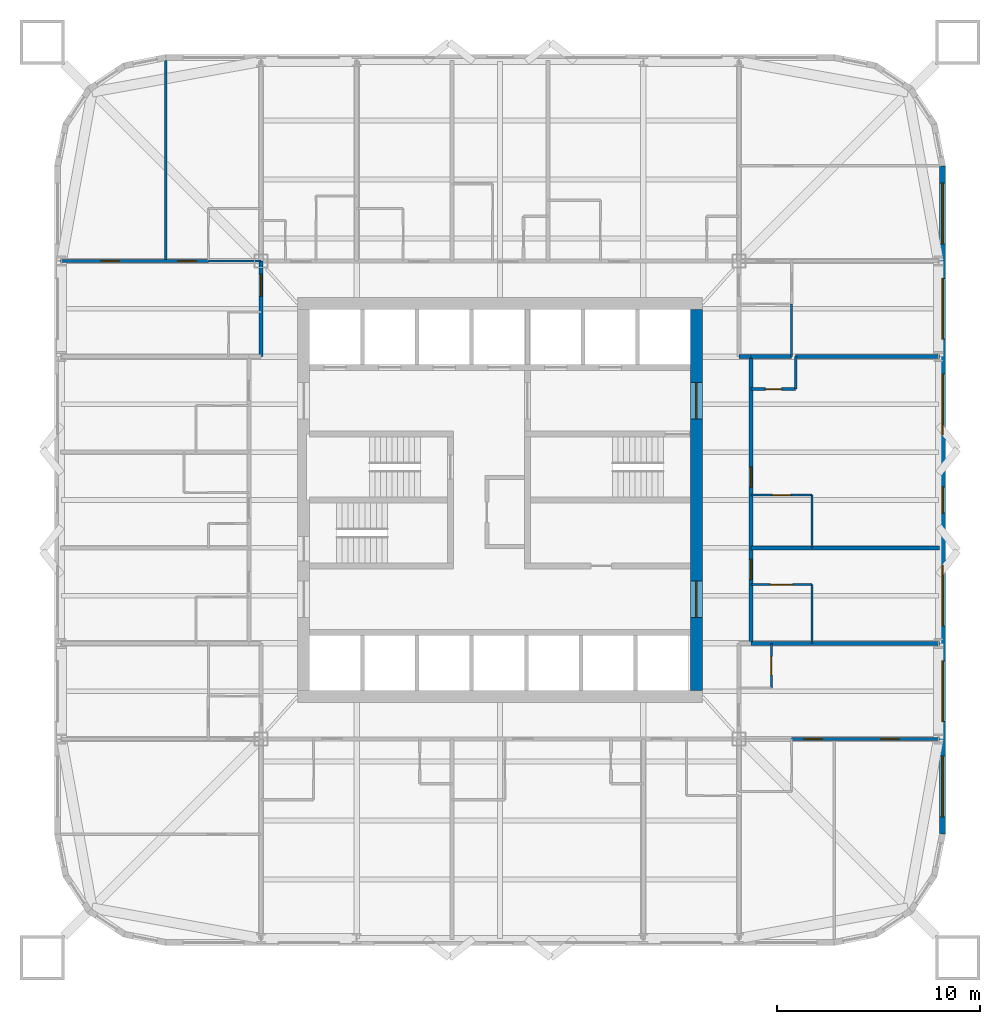
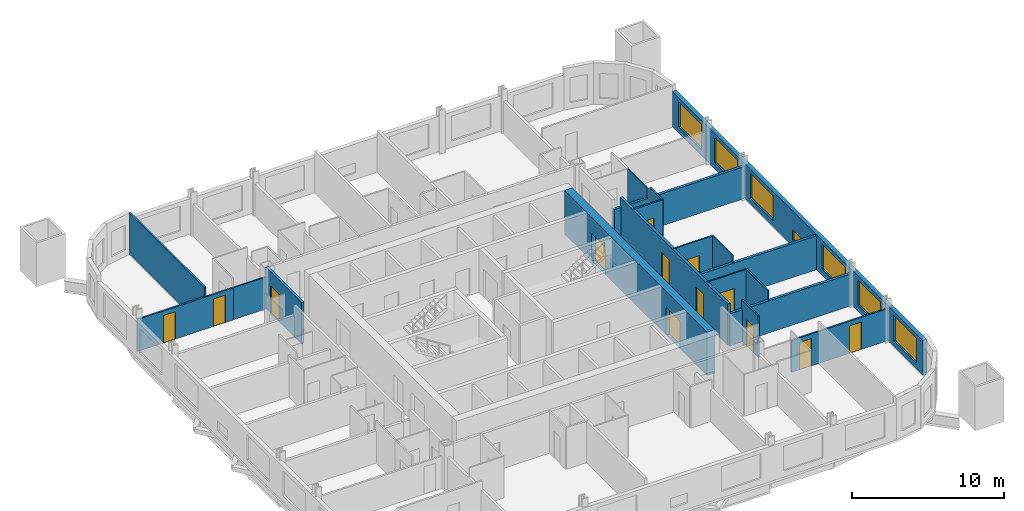
# One storey, part 6 of 10: 21 walls, 13 doors, 7 windows, 20 openings.
"""IFC4 building model written with IfcOpenShell, lengths in metres."""

from ifc_helpers import new_model, si_unit, direction, frame, frame_2d, origin, place, context, subcontext, project, spatial, rectangle, extrude, material, layer, layer_set, type_object, element, fill, save


model = new_model("IFC4")

# Units and contexts
model_context = context("Model", 3, precision=1e-05, world=origin(), true_north=direction((0.0, 1.0)))
body_context = subcontext(model_context, "Body", "Model", "MODEL_VIEW")
ifc_project = project(units=[si_unit("LENGTHUNIT", "METRE"), si_unit("AREAUNIT", "SQUARE_METRE"), si_unit("VOLUMEUNIT", "CUBIC_METRE"), si_unit("PLANEANGLEUNIT", "RADIAN"), si_unit("MASSUNIT", "GRAM", prefix="KILO")], contexts=[model_context])

# Site, building, storey
site_placement = place(None, origin())
site = spatial("IfcSite", under=ifc_project, at=site_placement, CompositionType="ELEMENT")
building_placement = place(site_placement, origin())
building = spatial("IfcBuilding", under=site, at=building_placement, Name="Turquesa Mirador Hotel Tower", CompositionType="ELEMENT")
storey_placement = place(building_placement, frame((0.0, 0.0, 53.0)))
storey = spatial("IfcBuildingStorey", under=building, at=storey_placement, Name="L13", CompositionType="ELEMENT", Elevation=53.0)

# Wall, opening, door
ifc_material_1 = material(Name="Gypsum board on steel studs", Category="steel")
ifc_layer_1 = layer(ifc_material_1, 0.10009765625)
ifc_layer_set_1 = layer_set([ifc_layer_1], Name="BATHROOM WALL 100")
wall_type_1 = type_object("IfcWallType", Name="BATHROOM WALL 100", PredefinedType="PARTITIONING", material=ifc_layer_set_1)
wall_1_placement = place(storey_placement, frame((67.39990234375, 40.820068359375, 0.0), z_axis=(0.0, 0.0, 1.0), x_axis=(1.0, 0.0, 0.0)))
wall_1 = element("IfcWall", 1, at=wall_1_placement, inside=storey, type_object=wall_type_1, Name="Partition L13 015", PredefinedType="PARTITIONING", context=body_context, shape_type="SweptSolid", body=[
    extrude(rectangle(XDim=3.0, YDim=0.10009765625, at=frame_2d((1.5, 0.0))), origin(), (0.0, 0.0, 1.0), 3.330078125),
])
opening_1_placement = place(wall_1_placement, frame((0.949951171875, 0.0, 0.0)))
opening_1 = element("IfcOpeningElement", 2, at=opening_1_placement, cuts=wall_1, Name="Opening D16", PredefinedType="OPENING", context=body_context, shape_type="SweptSolid", body=[
    extrude(rectangle(XDim=1.10009765625, YDim=2.10009765625, at=frame_2d((0.550048828125, 1.050048828125))), frame((0.0, 0.06005859375, 0.0), z_axis=(0.0, -1.0, 0.0), x_axis=(1.0, 0.0, 0.0)), (0.0, 0.0, 1.0), 0.1201171875),
])
ifc_material_2 = material(Name="Timber veneered sliding door", Category="wood")
door_type_1 = type_object("IfcDoorType", Name="DOOR 1100X2100 ACCESSIBLE EN-SUITE", OperationType="SLIDING_TO_LEFT", PredefinedType="DOOR", material=ifc_material_2)
door_1_placement = place(opening_1_placement, origin())
door_1 = element("IfcDoor", 3, at=door_1_placement, inside=storey, type_object=door_type_1, Name="Door 1308B", OperationType="SLIDING_TO_LEFT", OverallHeight=2.10009765625, OverallWidth=1.10009765625, PredefinedType="DOOR", context=body_context, shape_type="SweptSolid", body=[
    extrude(rectangle(XDim=1.10009765625, YDim=2.10009765625, at=frame_2d((0.550048828125, 1.050048828125))), frame((0.0, 0.02490234375, 0.0), z_axis=(0.0, -1.0, 0.0), x_axis=(1.0, 0.0, 0.0)), (0.0, 0.0, 1.0), 0.050048828125),
])
fill(opening_1, door_1)

wall_2_placement = place(storey_placement, frame((67.39990234375, 45.239990234375, 0.0), z_axis=(0.0, 0.0, 1.0), x_axis=(1.0, 0.0, 0.0)))
wall_2 = element("IfcWall", 4, at=wall_2_placement, inside=storey, type_object=wall_type_1, Name="Partition L13 023", PredefinedType="PARTITIONING", context=body_context, shape_type="SweptSolid", body=[
    extrude(rectangle(XDim=3.0, YDim=0.10009765625, at=frame_2d((1.5, 0.0))), origin(), (0.0, 0.0, 1.0), 3.330078125),
])
opening_2_placement = place(wall_2_placement, frame((1.050048828125, 0.0, 0.0)))
opening_2 = element("IfcOpeningElement", 5, at=opening_2_placement, cuts=wall_2, Name="Opening D02", PredefinedType="OPENING", context=body_context, shape_type="SweptSolid", body=[
    extrude(rectangle(XDim=0.89990234375, YDim=2.10009765625, at=frame_2d((0.449951171875, 1.050048828125))), frame((0.0, 0.06005859375, 0.0), z_axis=(0.0, -1.0, 0.0), x_axis=(1.0, 0.0, 0.0)), (0.0, 0.0, 1.0), 0.1201171875),
])
ifc_material_3 = material(Name="Timber veneered door", Category="wood")
door_type_2 = type_object("IfcDoorType", Name="DOOR 900X2100 EN-SUITE", OperationType="SINGLE_SWING_RIGHT", PredefinedType="DOOR", material=ifc_material_3)
door_2_placement = place(opening_2_placement, origin())
door_2 = element("IfcDoor", 6, at=door_2_placement, inside=storey, type_object=door_type_2, Name="Door 1309B", OperationType="SINGLE_SWING_RIGHT", OverallHeight=2.10009765625, OverallWidth=0.89990234375, PredefinedType="DOOR", context=body_context, shape_type="SweptSolid", body=[
    extrude(rectangle(XDim=0.89990234375, YDim=2.10009765625, at=frame_2d((0.449951171875, 1.050048828125))), frame((0.0, 0.02490234375, 0.0), z_axis=(0.0, -1.0, 0.0), x_axis=(1.0, 0.0, 0.0)), (0.0, 0.0, 1.0), 0.050048828125),
])
fill(opening_2, door_2)

# Wall
wall_3_placement = place(storey_placement, frame((40.60009765625, 56.800048828125, 0.0), z_axis=(0.0, 0.0, 1.0), x_axis=(1.0, 0.0, 0.0)))
element("IfcWall", 7, at=wall_3_placement, inside=storey, type_object=wall_type_1, Name="Partition L13 025", PredefinedType="PARTITIONING", context=body_context, shape_type="SweptSolid", body=[
    extrude(rectangle(XDim=2.599853515625, YDim=0.10009765625, at=frame_2d((1.2998046875, 0.0))), origin(), (0.0, 0.0, 1.0), 2.572998046875),
])

# Wall, opening, door
wall_4_placement = place(storey_placement, frame((68.39990234375, 35.719970703125, 0.0), z_axis=(0.0, 0.0, 1.0), x_axis=(0.0, 1.0, 0.0)))
wall_4 = element("IfcWall", 8, at=wall_4_placement, inside=storey, type_object=wall_type_1, Name="Partition L13 080", PredefinedType="PARTITIONING", context=body_context, shape_type="SweptSolid", body=[
    extrude(rectangle(XDim=2.199951171875, YDim=0.10009765625, at=frame_2d((1.10009765625, 0.0))), origin(), (0.0, 0.0, 1.0), 3.330078125),
])
opening_3_placement = place(wall_4_placement, frame((0.64990234375, 0.0, 0.0)))
opening_3 = element("IfcOpeningElement", 9, at=opening_3_placement, cuts=wall_4, Name="Opening D06", PredefinedType="OPENING", context=body_context, shape_type="SweptSolid", body=[
    extrude(rectangle(XDim=0.89990234375, YDim=2.10009765625, at=frame_2d((0.449951171875, 1.050048828125))), frame((0.0, 0.06005859375, 0.0), z_axis=(0.0, -1.0, 0.0), x_axis=(1.0, 0.0, 0.0)), (0.0, 0.0, 1.0), 0.1201171875),
])
ifc_material_4 = material(Name="Laminate door", Category="wood")
door_type_3 = type_object("IfcDoorType", Name="DOOR 900X2100 WC", OperationType="SINGLE_SWING_LEFT", PredefinedType="DOOR", material=ifc_material_4)
door_3_placement = place(opening_3_placement, origin())
door_3 = element("IfcDoor", 10, at=door_3_placement, inside=storey, type_object=door_type_3, Name="Door 1316W", OperationType="SINGLE_SWING_LEFT", OverallHeight=2.10009765625, OverallWidth=0.89990234375, PredefinedType="DOOR", context=body_context, shape_type="SweptSolid", body=[
    extrude(rectangle(XDim=0.89990234375, YDim=2.10009765625, at=frame_2d((0.449951171875, 1.050048828125))), frame((0.0, 0.02490234375, 0.0), z_axis=(0.0, -1.0, 0.0), x_axis=(1.0, 0.0, 0.0)), (0.0, 0.0, 1.0), 0.050048828125),
])
fill(opening_3, door_3)

# Walls
wall_5_placement = place(storey_placement, frame((69.39990234375, 52.080078125, 0.0), z_axis=(0.0, 0.0, 1.0), x_axis=(0.0, 1.0, 0.0)))
element("IfcWall", 11, at=wall_5_placement, inside=storey, type_object=wall_type_1, Name="Partition L13 082", PredefinedType="PARTITIONING", context=body_context, shape_type="SweptSolid", body=[
    extrude(rectangle(XDim=2.599853515625, YDim=0.10009765625, at=frame_2d((1.2998046875, 0.0))), origin(), (0.0, 0.0, 1.0), 3.330078125),
])
wall_6_placement = place(storey_placement, frame((70.39990234375, 37.919921875, 0.0), z_axis=(0.0, 0.0, 1.0), x_axis=(0.0, 1.0, 0.0)))
element("IfcWall", 12, at=wall_6_placement, inside=storey, type_object=wall_type_1, Name="Partition L13 085", PredefinedType="PARTITIONING", context=body_context, shape_type="SweptSolid", body=[
    extrude(rectangle(XDim=2.900146484375, YDim=0.10009765625, at=frame_2d((1.4501953125, 0.0))), origin(), (0.0, 0.0, 1.0), 3.330078125),
])
wall_7_placement = place(storey_placement, frame((70.39990234375, 42.639892578125, 0.0), z_axis=(0.0, 0.0, 1.0), x_axis=(0.0, 1.0, 0.0)))
element("IfcWall", 13, at=wall_7_placement, inside=storey, type_object=wall_type_1, Name="Partition L13 086", PredefinedType="PARTITIONING", context=body_context, shape_type="SweptSolid", body=[
    extrude(rectangle(XDim=2.60009765625, YDim=0.10009765625, at=frame_2d((1.300048828125, 0.0))), origin(), (0.0, 0.0, 1.0), 3.330078125),
])

# Wall, openings, doors
ifc_material_5 = material(Name="Concrete C50/60", Category="concrete")
ifc_layer_2 = layer(ifc_material_5, 0.60009765625)
ifc_layer_set_2 = layer_set([ifc_layer_2], Name="CORE WALL 600")
wall_type_2 = type_object("IfcWallType", Name="CORE WALL 600", PredefinedType="SHEAR", material=ifc_layer_set_2)
wall_8_placement = place(storey_placement, frame((64.699951171875, 35.60009765625, 0.0), z_axis=(0.0, 0.0, 1.0), x_axis=(0.0, 1.0, 0.0)))
wall_8 = element("IfcWall", 14, at=wall_8_placement, inside=storey, type_object=wall_type_2, Name="Core wall E", PredefinedType="SHEAR", context=body_context, shape_type="SweptSolid", body=[
    extrude(rectangle(XDim=18.7998046875, YDim=0.60009765625, at=frame_2d((9.39990234375, 0.0))), origin(), (0.0, 0.0, 1.0), 3.5),
])
opening_4_placement = place(wall_8_placement, frame((13.39990234375, 0.0, 0.0)))
opening_4 = element("IfcOpeningElement", 15, at=opening_4_placement, cuts=wall_8, Name="Opening D04", PredefinedType="OPENING", context=body_context, shape_type="SweptSolid", body=[
    extrude(rectangle(XDim=1.800048828125, YDim=2.199951171875, at=frame_2d((0.89990234375, 1.10009765625))), frame((0.0, 0.31005859375, 0.0), z_axis=(0.0, -1.0, 0.0), x_axis=(1.0, 0.0, 0.0)), (0.0, 0.0, 1.0), 0.6201171875),
])
opening_5_placement = place(wall_8_placement, frame((3.60009765625, 0.0, 0.0)))
opening_5 = element("IfcOpeningElement", 16, at=opening_5_placement, cuts=wall_8, Name="Opening D04", PredefinedType="OPENING", context=body_context, shape_type="SweptSolid", body=[
    extrude(rectangle(XDim=1.800048828125, YDim=2.199951171875, at=frame_2d((0.89990234375, 1.10009765625))), frame((0.0, 0.31005859375, 0.0), z_axis=(0.0, -1.0, 0.0), x_axis=(1.0, 0.0, 0.0)), (0.0, 0.0, 1.0), 0.6201171875),
])
ifc_material_6 = material(Name="Steel fire door pair", Category="steel")
door_type_4 = type_object("IfcDoorType", Name="DOOR 1800X2200 PAIR", OperationType="DOUBLE_DOOR_SINGLE_SWING", PredefinedType="DOOR", material=ifc_material_6)
door_4_placement = place(opening_4_placement, origin())
door_4 = element("IfcDoor", 17, at=door_4_placement, inside=storey, type_object=door_type_4, Name="Firefighting lobby door", OperationType="DOUBLE_DOOR_SINGLE_SWING", OverallHeight=2.199951171875, OverallWidth=1.800048828125, PredefinedType="DOOR", context=body_context, shape_type="SweptSolid", body=[
    extrude(rectangle(XDim=1.800048828125, YDim=2.199951171875, at=frame_2d((0.89990234375, 1.10009765625))), frame((0.0, 0.02490234375, 0.0), z_axis=(0.0, -1.0, 0.0), x_axis=(1.0, 0.0, 0.0)), (0.0, 0.0, 1.0), 0.050048828125),
])
fill(opening_4, door_4)
door_5_placement = place(opening_5_placement, origin())
door_5 = element("IfcDoor", 18, at=door_5_placement, inside=storey, type_object=door_type_4, Name="South lift lobby door", OperationType="DOUBLE_DOOR_SINGLE_SWING", OverallHeight=2.199951171875, OverallWidth=1.800048828125, PredefinedType="DOOR", context=body_context, shape_type="SweptSolid", body=[
    extrude(rectangle(XDim=1.800048828125, YDim=2.199951171875, at=frame_2d((0.89990234375, 1.10009765625))), frame((0.0, 0.02490234375, 0.0), z_axis=(0.0, -1.0, 0.0), x_axis=(1.0, 0.0, 0.0)), (0.0, 0.0, 1.0), 0.050048828125),
])
fill(opening_5, door_5)

# Wall
ifc_material_7 = material(Name="Fire-rated gypsum board on steel studs", Category="steel")
ifc_layer_3 = layer(ifc_material_7, 0.199951171875)
ifc_layer_set_3 = layer_set([ifc_layer_3], Name="CORRIDOR WALL 200")
wall_type_3 = type_object("IfcWallType", Name="CORRIDOR WALL 200", PredefinedType="PARTITIONING", material=ifc_layer_set_3)
wall_9_placement = place(storey_placement, frame((66.800048828125, 52.080078125, 0.0), z_axis=(0.0, 0.0, 1.0), x_axis=(1.0, 0.0, 0.0)))
element("IfcWall", 19, at=wall_9_placement, inside=storey, type_object=wall_type_3, Name="Partition L13 042", PredefinedType="PARTITIONING", context=body_context, shape_type="SweptSolid", body=[
    extrude(rectangle(XDim=0.599853515625, YDim=0.199951171875, at=frame_2d((0.2998046875, 0.0))), origin(), (0.0, 0.0, 1.0), 2.572998046875),
])

# Wall, opening, door
wall_10_placement = place(storey_placement, frame((43.199951171875, 52.080078125, 0.0), z_axis=(0.0, 0.0, 1.0), x_axis=(0.0, 1.0, 0.0)))
wall_10 = element("IfcWall", 20, at=wall_10_placement, inside=storey, type_object=wall_type_3, Name="Partition L13 051", PredefinedType="PARTITIONING", context=body_context, shape_type="SweptSolid", body=[
    extrude(rectangle(XDim=4.719970703125, YDim=0.199951171875, at=frame_2d((2.35986328125, 0.0))), origin(), (0.0, 0.0, 1.0), 3.330078125),
])
opening_6_placement = place(wall_10_placement, frame((2.969970703125, 0.0, 0.0)))
opening_6 = element("IfcOpeningElement", 21, at=opening_6_placement, cuts=wall_10, Name="Opening D15", PredefinedType="OPENING", context=body_context, shape_type="SweptSolid", body=[
    extrude(rectangle(XDim=1.10009765625, YDim=2.199951171875, at=frame_2d((0.550048828125, 1.10009765625))), frame((0.0, 0.10986328125, 0.0), z_axis=(0.0, -1.0, 0.0), x_axis=(1.0, 0.0, 0.0)), (0.0, 0.0, 1.0), 0.219970703125),
])
ifc_material_8 = material(Name="Timber veneered fire door", Category="wood")
door_type_5 = type_object("IfcDoorType", Name="DOOR 1100X2200 SUITE ENTRY", OperationType="SINGLE_SWING_LEFT", PredefinedType="DOOR", material=ifc_material_8)
door_6_placement = place(opening_6_placement, origin())
door_6 = element("IfcDoor", 22, at=door_6_placement, inside=storey, type_object=door_type_5, Name="Door 1314", OperationType="SINGLE_SWING_LEFT", OverallHeight=2.199951171875, OverallWidth=1.10009765625, PredefinedType="DOOR", context=body_context, shape_type="SweptSolid", body=[
    extrude(rectangle(XDim=1.10009765625, YDim=2.199951171875, at=frame_2d((0.550048828125, 1.10009765625))), frame((0.0, 0.02490234375, 0.0), z_axis=(0.0, -1.0, 0.0), x_axis=(1.0, 0.0, 0.0)), (0.0, 0.0, 1.0), 0.050048828125),
])
fill(opening_6, door_6)

# Wall, openings, doors
wall_11_placement = place(storey_placement, frame((67.39990234375, 37.919921875, 0.0), z_axis=(0.0, 0.0, 1.0), x_axis=(0.0, 1.0, 0.0)))
wall_11 = element("IfcWall", 23, at=wall_11_placement, inside=storey, type_object=wall_type_3, Name="Partition L13 079", PredefinedType="PARTITIONING", context=body_context, shape_type="SweptSolid", body=[
    extrude(rectangle(XDim=14.16015625, YDim=0.199951171875, at=frame_2d((7.080078125, 0.0))), origin(), (0.0, 0.0, 1.0), 3.330078125),
])
opening_7_placement = place(wall_11_placement, frame((3.14990234375, 0.0, 0.0)))
opening_7 = element("IfcOpeningElement", 24, at=opening_7_placement, cuts=wall_11, Name="Opening D01", PredefinedType="OPENING", context=body_context, shape_type="SweptSolid", body=[
    extrude(rectangle(XDim=1.0, YDim=2.199951171875, at=frame_2d((0.5, 1.10009765625))), frame((0.0, 0.10986328125, 0.0), z_axis=(0.0, -1.0, 0.0), x_axis=(1.0, 0.0, 0.0)), (0.0, 0.0, 1.0), 0.219970703125),
])
opening_8_placement = place(wall_11_placement, frame((7.719970703125, 0.0, 0.0)))
opening_8 = element("IfcOpeningElement", 25, at=opening_8_placement, cuts=wall_11, Name="Opening D01", PredefinedType="OPENING", context=body_context, shape_type="SweptSolid", body=[
    extrude(rectangle(XDim=1.0, YDim=2.199951171875, at=frame_2d((0.5, 1.10009765625))), frame((0.0, 0.10986328125, 0.0), z_axis=(0.0, -1.0, 0.0), x_axis=(1.0, 0.0, 0.0)), (0.0, 0.0, 1.0), 0.219970703125),
])
ifc_material_9 = material(Name="Timber veneered fire door", Category="wood")
door_type_6 = type_object("IfcDoorType", Name="DOOR 1000X2200 GUEST ENTRY", OperationType="SINGLE_SWING_LEFT", PredefinedType="DOOR", material=ifc_material_9)
door_7_placement = place(opening_7_placement, origin())
door_7 = element("IfcDoor", 26, at=door_7_placement, inside=storey, type_object=door_type_6, Name="Door 1308", OperationType="SINGLE_SWING_LEFT", OverallHeight=2.199951171875, OverallWidth=1.0, PredefinedType="DOOR", context=body_context, shape_type="SweptSolid", body=[
    extrude(rectangle(XDim=1.0, YDim=2.199951171875, at=frame_2d((0.5, 1.10009765625))), frame((0.0, 0.02490234375, 0.0), z_axis=(0.0, -1.0, 0.0), x_axis=(1.0, 0.0, 0.0)), (0.0, 0.0, 1.0), 0.050048828125),
])
fill(opening_7, door_7)
door_8_placement = place(opening_8_placement, origin())
door_8 = element("IfcDoor", 27, at=door_8_placement, inside=storey, type_object=door_type_6, Name="Door 1309", OperationType="SINGLE_SWING_LEFT", OverallHeight=2.199951171875, OverallWidth=1.0, PredefinedType="DOOR", context=body_context, shape_type="SweptSolid", body=[
    extrude(rectangle(XDim=1.0, YDim=2.199951171875, at=frame_2d((0.5, 1.10009765625))), frame((0.0, 0.02490234375, 0.0), z_axis=(0.0, -1.0, 0.0), x_axis=(1.0, 0.0, 0.0)), (0.0, 0.0, 1.0), 0.050048828125),
])
fill(opening_8, door_8)

# Wall, openings, windows
ifc_material_10 = material(Name="Limestone cladding on concrete block", Category="masonry")
ifc_layer_4 = layer(ifc_material_10, 0.300048828125)
ifc_layer_set_4 = layer_set([ifc_layer_4], Name="FACADE WALL 300 STONE SCREEN")
wall_type_4 = type_object("IfcWallType", Name="FACADE WALL 300 STONE SCREEN", PredefinedType="SOLIDWALL", material=ifc_layer_set_4)
wall_12_placement = place(storey_placement, frame((76.85009765625, 28.5, 0.0), z_axis=(0.0, 0.0, 1.0), x_axis=(0.0, 1.0, 0.0)))
wall_12 = element("IfcWall", 28, at=wall_12_placement, inside=storey, type_object=wall_type_4, Name="Facade wall L13 04", PredefinedType="SOLIDWALL", context=body_context, shape_type="SweptSolid", body=[
    extrude(rectangle(XDim=33.0, YDim=0.300048828125, at=frame_2d((16.5, 0.0))), origin(), (0.0, 0.0, 1.0), 2.830078125),
])
opening_9_placement = place(wall_12_placement, frame((0.85009765625, 0.0, 0.5)))
opening_9 = element("IfcOpeningElement", 29, at=opening_9_placement, cuts=wall_12, Name="Opening WN1", PredefinedType="OPENING", context=body_context, shape_type="SweptSolid", body=[
    extrude(rectangle(XDim=3.0, YDim=2.0, at=frame_2d((1.5, 1.0))), frame((0.0, 0.159912109375, 0.0), z_axis=(0.0, -1.0, 0.0), x_axis=(1.0, 0.0, 0.0)), (0.0, 0.0, 1.0), 0.320068359375),
])
opening_10_placement = place(wall_12_placement, frame((5.56005859375, 0.0, 0.5)))
opening_10 = element("IfcOpeningElement", 30, at=opening_10_placement, cuts=wall_12, Name="Opening WN1", PredefinedType="OPENING", context=body_context, shape_type="SweptSolid", body=[
    extrude(rectangle(XDim=3.0, YDim=2.0, at=frame_2d((1.5, 1.0))), frame((0.0, 0.159912109375, 0.0), z_axis=(0.0, -1.0, 0.0), x_axis=(1.0, 0.0, 0.0)), (0.0, 0.0, 1.0), 0.320068359375),
])
opening_11_placement = place(wall_12_placement, frame((10.280029296875, 0.0, 0.5)))
opening_11 = element("IfcOpeningElement", 31, at=opening_11_placement, cuts=wall_12, Name="Opening WN1", PredefinedType="OPENING", context=body_context, shape_type="SweptSolid", body=[
    extrude(rectangle(XDim=3.0, YDim=2.0, at=frame_2d((1.5, 1.0))), frame((0.0, 0.159912109375, 0.0), z_axis=(0.0, -1.0, 0.0), x_axis=(1.0, 0.0, 0.0)), (0.0, 0.0, 1.0), 0.320068359375),
])
opening_12_placement = place(wall_12_placement, frame((15.85009765625, 0.0, 0.5)))
opening_12 = element("IfcOpeningElement", 32, at=opening_12_placement, cuts=wall_12, Name="Opening WN41", PredefinedType="OPENING", context=body_context, shape_type="SweptSolid", body=[
    extrude(rectangle(XDim=1.300048828125, YDim=0.800048828125, at=frame_2d((0.64990234375, 0.39990234375))), frame((0.0, 0.159912109375, 0.0), z_axis=(0.0, -1.0, 0.0), x_axis=(1.0, 0.0, 0.0)), (0.0, 0.0, 1.0), 0.320068359375),
])
opening_13_placement = place(wall_12_placement, frame((19.719970703125, 0.0, 0.5)))
opening_13 = element("IfcOpeningElement", 33, at=opening_13_placement, cuts=wall_12, Name="Opening WN1", PredefinedType="OPENING", context=body_context, shape_type="SweptSolid", body=[
    extrude(rectangle(XDim=3.0, YDim=2.0, at=frame_2d((1.5, 1.0))), frame((0.0, 0.159912109375, 0.0), z_axis=(0.0, -1.0, 0.0), x_axis=(1.0, 0.0, 0.0)), (0.0, 0.0, 1.0), 0.320068359375),
])
opening_14_placement = place(wall_12_placement, frame((24.43994140625, 0.0, 0.5)))
opening_14 = element("IfcOpeningElement", 34, at=opening_14_placement, cuts=wall_12, Name="Opening WN1", PredefinedType="OPENING", context=body_context, shape_type="SweptSolid", body=[
    extrude(rectangle(XDim=3.0, YDim=2.0, at=frame_2d((1.5, 1.0))), frame((0.0, 0.159912109375, 0.0), z_axis=(0.0, -1.0, 0.0), x_axis=(1.0, 0.0, 0.0)), (0.0, 0.0, 1.0), 0.320068359375),
])
opening_15_placement = place(wall_12_placement, frame((29.14990234375, 0.0, 0.5)))
opening_15 = element("IfcOpeningElement", 35, at=opening_15_placement, cuts=wall_12, Name="Opening WN1", PredefinedType="OPENING", context=body_context, shape_type="SweptSolid", body=[
    extrude(rectangle(XDim=3.0, YDim=2.0, at=frame_2d((1.5, 1.0))), frame((0.0, 0.159912109375, 0.0), z_axis=(0.0, -1.0, 0.0), x_axis=(1.0, 0.0, 0.0)), (0.0, 0.0, 1.0), 0.320068359375),
])
ifc_material_11 = material(Name="Ceramic-fritted laminated glass", Category="glass")
window_type_1 = type_object("IfcWindowType", Name="FRITTED WINDOW 1300X800", PartitioningType="DOUBLE_PANEL_HORIZONTAL", PredefinedType="WINDOW", material=ifc_material_11)
window_1_placement = place(opening_12_placement, origin())
window_1 = element("IfcWindow", 36, at=window_1_placement, inside=storey, type_object=window_type_1, Name="Window L13", OverallHeight=0.800048828125, OverallWidth=1.300048828125, PartitioningType="SINGLE_PANEL", PredefinedType="WINDOW", context=body_context, shape_type="SweptSolid", body=[
    extrude(rectangle(XDim=1.300048828125, YDim=0.800048828125, at=frame_2d((0.64990234375, 0.39990234375))), frame((0.0, 0.030029296875, 0.0), z_axis=(0.0, -1.0, 0.0), x_axis=(1.0, 0.0, 0.0)), (0.0, 0.0, 1.0), 0.06005859375),
])
fill(opening_12, window_1)
ifc_material_12 = material(Name="Ceramic-fritted laminated glass", Category="glass")
window_type_2 = type_object("IfcWindowType", Name="FRITTED WINDOW 3000X2000", PartitioningType="DOUBLE_PANEL_HORIZONTAL", PredefinedType="WINDOW", material=ifc_material_12)
window_2_placement = place(opening_9_placement, origin())
window_2 = element("IfcWindow", 37, at=window_2_placement, inside=storey, type_object=window_type_2, Name="Window L13", OverallHeight=2.0, OverallWidth=3.0, PartitioningType="SINGLE_PANEL", PredefinedType="WINDOW", context=body_context, shape_type="SweptSolid", body=[
    extrude(rectangle(XDim=3.0, YDim=2.0, at=frame_2d((1.5, 1.0))), frame((0.0, 0.030029296875, 0.0), z_axis=(0.0, -1.0, 0.0), x_axis=(1.0, 0.0, 0.0)), (0.0, 0.0, 1.0), 0.06005859375),
])
fill(opening_9, window_2)
window_3_placement = place(opening_10_placement, origin())
window_3 = element("IfcWindow", 38, at=window_3_placement, inside=storey, type_object=window_type_2, Name="Window L13", OverallHeight=2.0, OverallWidth=3.0, PartitioningType="SINGLE_PANEL", PredefinedType="WINDOW", context=body_context, shape_type="SweptSolid", body=[
    extrude(rectangle(XDim=3.0, YDim=2.0, at=frame_2d((1.5, 1.0))), frame((0.0, 0.030029296875, 0.0), z_axis=(0.0, -1.0, 0.0), x_axis=(1.0, 0.0, 0.0)), (0.0, 0.0, 1.0), 0.06005859375),
])
fill(opening_10, window_3)
window_4_placement = place(opening_11_placement, origin())
window_4 = element("IfcWindow", 39, at=window_4_placement, inside=storey, type_object=window_type_2, Name="Window L13", OverallHeight=2.0, OverallWidth=3.0, PartitioningType="SINGLE_PANEL", PredefinedType="WINDOW", context=body_context, shape_type="SweptSolid", body=[
    extrude(rectangle(XDim=3.0, YDim=2.0, at=frame_2d((1.5, 1.0))), frame((0.0, 0.030029296875, 0.0), z_axis=(0.0, -1.0, 0.0), x_axis=(1.0, 0.0, 0.0)), (0.0, 0.0, 1.0), 0.06005859375),
])
fill(opening_11, window_4)
window_5_placement = place(opening_13_placement, origin())
window_5 = element("IfcWindow", 40, at=window_5_placement, inside=storey, type_object=window_type_2, Name="Window L13", OverallHeight=2.0, OverallWidth=3.0, PartitioningType="SINGLE_PANEL", PredefinedType="WINDOW", context=body_context, shape_type="SweptSolid", body=[
    extrude(rectangle(XDim=3.0, YDim=2.0, at=frame_2d((1.5, 1.0))), frame((0.0, 0.030029296875, 0.0), z_axis=(0.0, -1.0, 0.0), x_axis=(1.0, 0.0, 0.0)), (0.0, 0.0, 1.0), 0.06005859375),
])
fill(opening_13, window_5)
window_6_placement = place(opening_14_placement, origin())
window_6 = element("IfcWindow", 41, at=window_6_placement, inside=storey, type_object=window_type_2, Name="Window L13", OverallHeight=2.0, OverallWidth=3.0, PartitioningType="SINGLE_PANEL", PredefinedType="WINDOW", context=body_context, shape_type="SweptSolid", body=[
    extrude(rectangle(XDim=3.0, YDim=2.0, at=frame_2d((1.5, 1.0))), frame((0.0, 0.030029296875, 0.0), z_axis=(0.0, -1.0, 0.0), x_axis=(1.0, 0.0, 0.0)), (0.0, 0.0, 1.0), 0.06005859375),
])
fill(opening_14, window_6)
window_7_placement = place(opening_15_placement, origin())
window_7 = element("IfcWindow", 42, at=window_7_placement, inside=storey, type_object=window_type_2, Name="Window L13", OverallHeight=2.0, OverallWidth=3.0, PartitioningType="SINGLE_PANEL", PredefinedType="WINDOW", context=body_context, shape_type="SweptSolid", body=[
    extrude(rectangle(XDim=3.0, YDim=2.0, at=frame_2d((1.5, 1.0))), frame((0.0, 0.030029296875, 0.0), z_axis=(0.0, -1.0, 0.0), x_axis=(1.0, 0.0, 0.0)), (0.0, 0.0, 1.0), 0.06005859375),
])
fill(opening_15, window_7)

# Walls
ifc_material_13 = material(Name="Fire-rated gypsum board on steel studs", Category="steel")
ifc_layer_5 = layer(ifc_material_13, 0.199951171875)
ifc_layer_set_5 = layer_set([ifc_layer_5], Name="PARTY WALL 200")
wall_type_5 = type_object("IfcWallType", Name="PARTY WALL 200", PredefinedType="PARTITIONING", material=ifc_layer_set_5)
wall_13_placement = place(storey_placement, frame((67.39990234375, 42.639892578125, 0.0), z_axis=(0.0, 0.0, 1.0), x_axis=(1.0, 0.0, 0.0)))
element("IfcWall", 43, at=wall_13_placement, inside=storey, type_object=wall_type_5, Name="Partition L13 014", PredefinedType="PARTITIONING", context=body_context, shape_type="SweptSolid", body=[
    extrude(rectangle(XDim=9.300048828125, YDim=0.199951171875, at=frame_2d((4.64990234375, 0.0))), origin(), (0.0, 0.0, 1.0), 2.722900390625),
])
wall_14_placement = place(storey_placement, frame((67.39990234375, 37.919921875, 0.0), z_axis=(0.0, 0.0, 1.0), x_axis=(1.0, 0.0, 0.0)))
element("IfcWall", 44, at=wall_14_placement, inside=storey, type_object=wall_type_5, Name="Partition L13 020", PredefinedType="PARTITIONING", context=body_context, shape_type="SweptSolid", body=[
    extrude(rectangle(XDim=9.300048828125, YDim=0.199951171875, at=frame_2d((4.64990234375, 0.0))), origin(), (0.0, 0.0, 1.0), 2.572998046875),
])
wall_15_placement = place(storey_placement, frame((67.39990234375, 52.080078125, 0.0), z_axis=(0.0, 0.0, 1.0), x_axis=(1.0, 0.0, 0.0)))
element("IfcWall", 45, at=wall_15_placement, inside=storey, type_object=wall_type_5, Name="Partition L13 044", PredefinedType="PARTITIONING", context=body_context, shape_type="SweptSolid", body=[
    extrude(rectangle(XDim=2.0, YDim=0.199951171875, at=frame_2d((1.0, 0.0))), origin(), (0.0, 0.0, 1.0), 2.572998046875),
])
wall_16_placement = place(storey_placement, frame((69.60009765625, 52.080078125, 0.0), z_axis=(0.0, 0.0, 1.0), x_axis=(1.0, 0.0, 0.0)))
element("IfcWall", 46, at=wall_16_placement, inside=storey, type_object=wall_type_5, Name="Partition L13 045", PredefinedType="PARTITIONING", context=body_context, shape_type="SweptSolid", body=[
    extrude(rectangle(XDim=7.099853515625, YDim=0.199951171875, at=frame_2d((3.5498046875, 0.0))), origin(), (0.0, 0.0, 1.0), 2.572998046875),
])

# Wall, openings, doors
ifc_material_14 = material(Name="Acoustic gypsum board on steel studs", Category="steel")
ifc_layer_6 = layer(ifc_material_14, 0.125)
ifc_layer_set_6 = layer_set([ifc_layer_6], Name="SUITE PARTITION 125")
wall_type_6 = type_object("IfcWallType", Name="SUITE PARTITION 125", PredefinedType="PARTITIONING", material=ifc_layer_set_6)
wall_17_placement = place(storey_placement, frame((69.39990234375, 33.199951171875, 0.0), z_axis=(0.0, 0.0, 1.0), x_axis=(1.0, 0.0, 0.0)))
wall_17 = element("IfcWall", 47, at=wall_17_placement, inside=storey, type_object=wall_type_6, Name="Partition L13 005", PredefinedType="PARTITIONING", context=body_context, shape_type="SweptSolid", body=[
    extrude(rectangle(XDim=7.300048828125, YDim=0.125, at=frame_2d((3.64990234375, 0.0))), origin(), (0.0, 0.0, 1.0), 2.572998046875),
])
opening_16_placement = place(wall_17_placement, frame((0.60009765625, 0.0, 0.0)))
opening_16 = element("IfcOpeningElement", 48, at=opening_16_placement, cuts=wall_17, Name="Opening D17", PredefinedType="OPENING", context=body_context, shape_type="SweptSolid", body=[
    extrude(rectangle(XDim=0.89990234375, YDim=2.199951171875, at=frame_2d((0.449951171875, 1.10009765625))), frame((0.0, 0.072509765625, 0.0), z_axis=(0.0, -1.0, 0.0), x_axis=(1.0, 0.0, 0.0)), (0.0, 0.0, 1.0), 0.14501953125),
])
opening_17_placement = place(wall_17_placement, frame((4.39990234375, 0.0, 0.0)))
opening_17 = element("IfcOpeningElement", 49, at=opening_17_placement, cuts=wall_17, Name="Opening D17", PredefinedType="OPENING", context=body_context, shape_type="SweptSolid", body=[
    extrude(rectangle(XDim=0.89990234375, YDim=2.199951171875, at=frame_2d((0.449951171875, 1.10009765625))), frame((0.0, 0.072509765625, 0.0), z_axis=(0.0, -1.0, 0.0), x_axis=(1.0, 0.0, 0.0)), (0.0, 0.0, 1.0), 0.14501953125),
])
ifc_material_15 = material(Name="Timber veneered door", Category="wood")
door_type_7 = type_object("IfcDoorType", Name="DOOR 900X2200 SUITE INTERNAL", OperationType="SINGLE_SWING_LEFT", PredefinedType="DOOR", material=ifc_material_15)
door_9_placement = place(opening_16_placement, origin())
door_9 = element("IfcDoor", 50, at=door_9_placement, inside=storey, type_object=door_type_7, Name="Door 1316R", OperationType="SINGLE_SWING_LEFT", OverallHeight=2.199951171875, OverallWidth=0.89990234375, PredefinedType="DOOR", context=body_context, shape_type="SweptSolid", body=[
    extrude(rectangle(XDim=0.89990234375, YDim=2.199951171875, at=frame_2d((0.449951171875, 1.10009765625))), frame((0.0, 0.02490234375, 0.0), z_axis=(0.0, -1.0, 0.0), x_axis=(1.0, 0.0, 0.0)), (0.0, 0.0, 1.0), 0.050048828125),
])
fill(opening_16, door_9)
door_10_placement = place(opening_17_placement, origin())
door_10 = element("IfcDoor", 51, at=door_10_placement, inside=storey, type_object=door_type_7, Name="Door 1316S", OperationType="SINGLE_SWING_LEFT", OverallHeight=2.199951171875, OverallWidth=0.89990234375, PredefinedType="DOOR", context=body_context, shape_type="SweptSolid", body=[
    extrude(rectangle(XDim=0.89990234375, YDim=2.199951171875, at=frame_2d((0.449951171875, 1.10009765625))), frame((0.0, 0.02490234375, 0.0), z_axis=(0.0, -1.0, 0.0), x_axis=(1.0, 0.0, 0.0)), (0.0, 0.0, 1.0), 0.050048828125),
])
fill(opening_17, door_10)

wall_18_placement = place(storey_placement, frame((33.300048828125, 56.800048828125, 0.0), z_axis=(0.0, 0.0, 1.0), x_axis=(1.0, 0.0, 0.0)))
wall_18 = element("IfcWall", 52, at=wall_18_placement, inside=storey, type_object=wall_type_6, Name="Partition L13 027", PredefinedType="PARTITIONING", context=body_context, shape_type="SweptSolid", body=[
    extrude(rectangle(XDim=7.300048828125, YDim=0.125, at=frame_2d((3.64990234375, 0.0))), origin(), (0.0, 0.0, 1.0), 2.572998046875),
])
opening_18_placement = place(wall_18_placement, frame((5.800048828125, 0.0, 0.0)))
opening_18 = element("IfcOpeningElement", 53, at=opening_18_placement, cuts=wall_18, Name="Opening D17", PredefinedType="OPENING", context=body_context, shape_type="SweptSolid", body=[
    extrude(rectangle(XDim=0.89990234375, YDim=2.199951171875, at=frame_2d((0.449951171875, 1.10009765625))), frame((0.0, 0.072509765625, 0.0), z_axis=(0.0, -1.0, 0.0), x_axis=(1.0, 0.0, 0.0)), (0.0, 0.0, 1.0), 0.14501953125),
])
opening_19_placement = place(wall_18_placement, frame((2.0, 0.0, 0.0)))
opening_19 = element("IfcOpeningElement", 54, at=opening_19_placement, cuts=wall_18, Name="Opening D17", PredefinedType="OPENING", context=body_context, shape_type="SweptSolid", body=[
    extrude(rectangle(XDim=0.89990234375, YDim=2.199951171875, at=frame_2d((0.449951171875, 1.10009765625))), frame((0.0, 0.072509765625, 0.0), z_axis=(0.0, -1.0, 0.0), x_axis=(1.0, 0.0, 0.0)), (0.0, 0.0, 1.0), 0.14501953125),
])
door_11_placement = place(opening_18_placement, origin())
door_11 = element("IfcDoor", 55, at=door_11_placement, inside=storey, type_object=door_type_7, Name="Door 1314R", OperationType="SINGLE_SWING_LEFT", OverallHeight=2.199951171875, OverallWidth=0.89990234375, PredefinedType="DOOR", context=body_context, shape_type="SweptSolid", body=[
    extrude(rectangle(XDim=0.89990234375, YDim=2.199951171875, at=frame_2d((0.449951171875, 1.10009765625))), frame((0.0, 0.02490234375, 0.0), z_axis=(0.0, -1.0, 0.0), x_axis=(1.0, 0.0, 0.0)), (0.0, 0.0, 1.0), 0.050048828125),
])
fill(opening_18, door_11)
door_12_placement = place(opening_19_placement, origin())
door_12 = element("IfcDoor", 56, at=door_12_placement, inside=storey, type_object=door_type_7, Name="Door 1314S", OperationType="SINGLE_SWING_LEFT", OverallHeight=2.199951171875, OverallWidth=0.89990234375, PredefinedType="DOOR", context=body_context, shape_type="SweptSolid", body=[
    extrude(rectangle(XDim=0.89990234375, YDim=2.199951171875, at=frame_2d((0.449951171875, 1.10009765625))), frame((0.0, 0.02490234375, 0.0), z_axis=(0.0, -1.0, 0.0), x_axis=(1.0, 0.0, 0.0)), (0.0, 0.0, 1.0), 0.050048828125),
])
fill(opening_19, door_12)

# Wall, opening, door
wall_19_placement = place(storey_placement, frame((67.39990234375, 50.47998046875, 0.0), z_axis=(0.0, 0.0, 1.0), x_axis=(1.0, 0.0, 0.0)))
wall_19 = element("IfcWall", 57, at=wall_19_placement, inside=storey, type_object=wall_type_6, Name="Partition L13 040", PredefinedType="PARTITIONING", context=body_context, shape_type="SweptSolid", body=[
    extrude(rectangle(XDim=2.2001953125, YDim=0.125, at=frame_2d((1.10009765625, 0.0))), origin(), (0.0, 0.0, 1.0), 3.330078125),
])
opening_20_placement = place(wall_19_placement, frame((0.699951171875, 0.0, 0.0)))
opening_20 = element("IfcOpeningElement", 58, at=opening_20_placement, cuts=wall_19, Name="Opening D20", PredefinedType="OPENING", context=body_context, shape_type="SweptSolid", body=[
    extrude(rectangle(XDim=0.800048828125, YDim=2.10009765625, at=frame_2d((0.39990234375, 1.050048828125))), frame((0.0, 0.072509765625, 0.0), z_axis=(0.0, -1.0, 0.0), x_axis=(1.0, 0.0, 0.0)), (0.0, 0.0, 1.0), 0.14501953125),
])
ifc_material_16 = material(Name="Timber veneered sliding door", Category="wood")
door_type_8 = type_object("IfcDoorType", Name="DOOR 800X2100 WARDROBE", OperationType="SLIDING_TO_LEFT", PredefinedType="DOOR", material=ifc_material_16)
door_13_placement = place(opening_20_placement, origin())
door_13 = element("IfcDoor", 59, at=door_13_placement, inside=storey, type_object=door_type_8, Name="Door 1309W", OperationType="SLIDING_TO_LEFT", OverallHeight=2.10009765625, OverallWidth=0.800048828125, PredefinedType="DOOR", context=body_context, shape_type="SweptSolid", body=[
    extrude(rectangle(XDim=0.800048828125, YDim=2.10009765625, at=frame_2d((0.39990234375, 1.050048828125))), frame((0.0, 0.02490234375, 0.0), z_axis=(0.0, -1.0, 0.0), x_axis=(1.0, 0.0, 0.0)), (0.0, 0.0, 1.0), 0.050048828125),
])
fill(opening_20, door_13)

# Walls
wall_20_placement = place(storey_placement, frame((38.5, 56.800048828125, 0.0), z_axis=(0.0, 0.0, 1.0), x_axis=(0.0, 1.0, 0.0)))
element("IfcWall", 60, at=wall_20_placement, inside=storey, type_object=wall_type_6, Name="Partition L13 063", PredefinedType="PARTITIONING", context=body_context, shape_type="SweptSolid", body=[
    extrude(rectangle(XDim=9.89404296875, YDim=0.125, at=frame_2d((4.947021484375, 0.0))), origin(), (0.0, 0.0, 1.0), 3.330078125),
])
wall_21_placement = place(storey_placement, frame((69.60009765625, 50.47998046875, 0.0), z_axis=(0.0, 0.0, 1.0), x_axis=(0.0, 1.0, 0.0)))
element("IfcWall", 61, at=wall_21_placement, inside=storey, type_object=wall_type_6, Name="Partition L13 084", PredefinedType="PARTITIONING", context=body_context, shape_type="SweptSolid", body=[
    extrude(rectangle(XDim=1.60009765625, YDim=0.125, at=frame_2d((0.800048828125, 0.0))), origin(), (0.0, 0.0, 1.0), 3.330078125),
])

save(model, "model.ifc")
